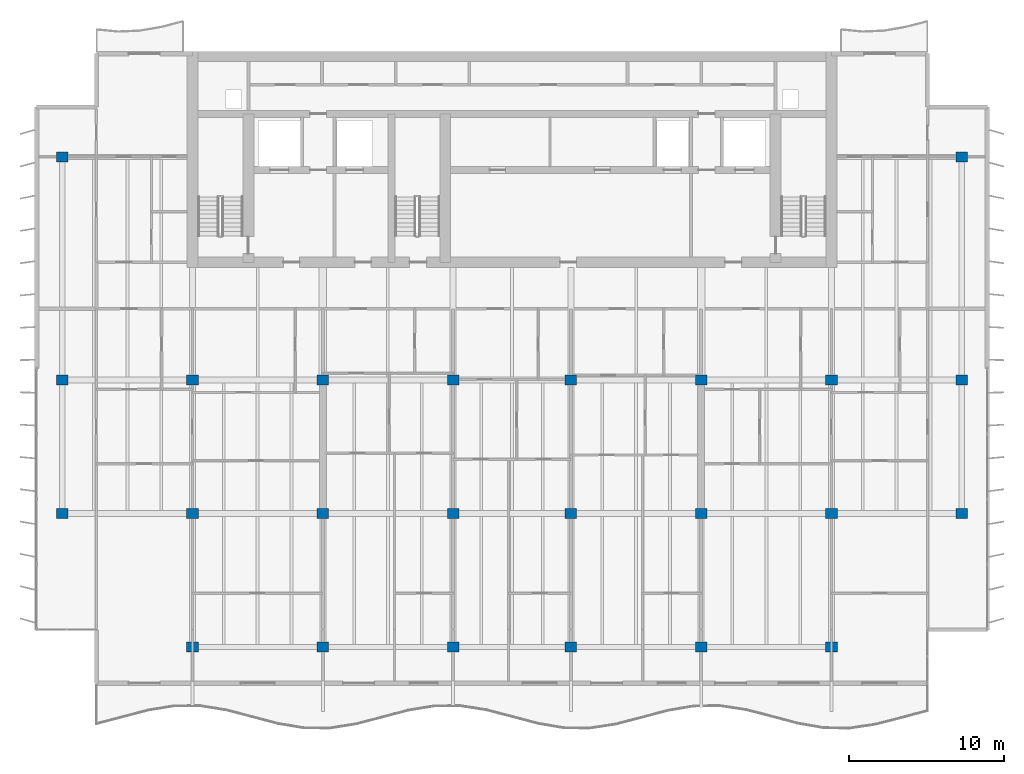
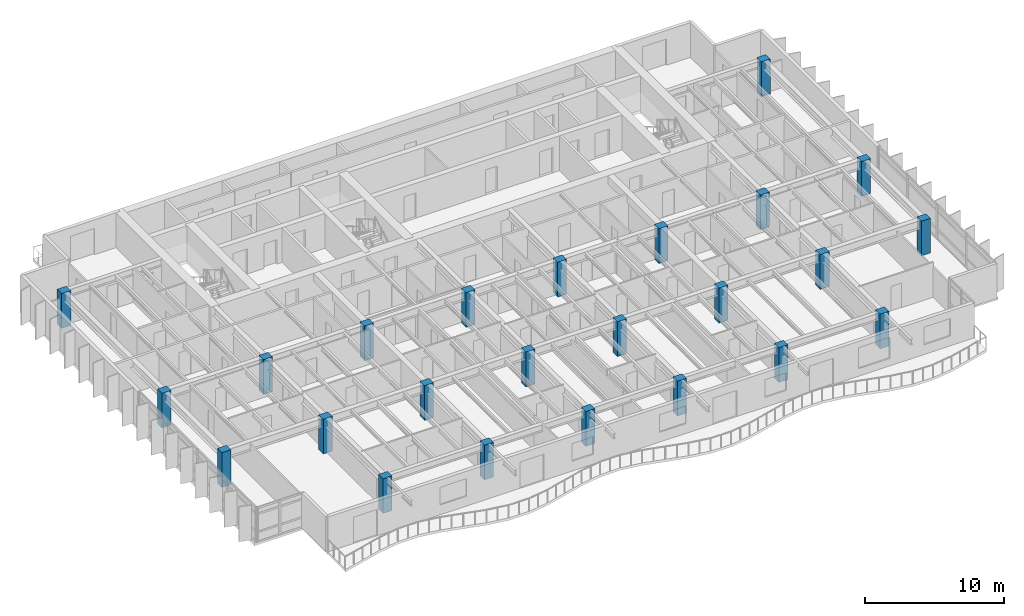
# One storey, part 1 of 16: 24 columns.
"""IFC4 building model written with IfcOpenShell, lengths in metres."""

from ifc_helpers import new_model, si_unit, direction, frame, origin, origin_2d, place, context, subcontext, project, spatial, rectangle, extrude, material, material_profile, profile_set, type_object, element, save


model = new_model("IFC4")

# Units and contexts
model_context = context("Model", 3, precision=1e-05, world=origin(), true_north=direction((0.0, 1.0)))
body_context = subcontext(model_context, "Body", "Model", "MODEL_VIEW")
ifc_project = project(units=[si_unit("LENGTHUNIT", "METRE"), si_unit("AREAUNIT", "SQUARE_METRE"), si_unit("VOLUMEUNIT", "CUBIC_METRE"), si_unit("PLANEANGLEUNIT", "RADIAN"), si_unit("MASSUNIT", "GRAM", prefix="KILO")], contexts=[model_context])

# Site, building, storey
site_placement = place(None, origin())
site = spatial("IfcSite", under=ifc_project, at=site_placement, CompositionType="ELEMENT")
building_placement = place(site_placement, origin())
building = spatial("IfcBuilding", under=site, at=building_placement, Name="Caelmar Bay Residences", CompositionType="ELEMENT")
storey_placement = place(building_placement, frame((0.0, 0.0, 233.10009765625)))
storey = spatial("IfcBuildingStorey", under=building, at=storey_placement, Name="L65", CompositionType="ELEMENT", Elevation=233.10009765625)

# Columns
ifc_material = material(Name="Concrete f'c 55 MPa (8,000 psi)", Category="concrete")
ifc_material_profile = material_profile(ifc_material, rectangle(XDim=0.75, YDim=0.64990234375, at=origin_2d()), Name="RC-COL-750X650")
ifc_profile_set = profile_set([ifc_material_profile], Name="Concrete f'c 55 MPa (8,000 psi)")
column_type = type_object("IfcColumnType", Name="COL-RC-750X650", PredefinedType="COLUMN", material=ifc_profile_set)
for number, where, z_axis, x_axis, name in (
    (1, (18.300048828125, 12.199951171875, 0.0), (0.0, 0.0, 1.0), (1.0, 0.0, 0.0), "L65 Column (18.30,12.20)"),
    (2, (26.699951171875, 12.199951171875, 0.0), (0.0, 0.0, 1.0), (1.0, 0.0, 0.0), "L65 Column (26.70,12.20)"),
    (3, (35.10009765625, 12.199951171875, 0.0), (0.0, 0.0, 1.0), (1.0, 0.0, 0.0), "L65 Column (35.10,12.20)"),
    (4, (42.699951171875, 12.199951171875, 0.0), (0.0, 0.0, 1.0), (1.0, 0.0, 0.0), "L65 Column (42.70,12.20)"),
    (5, (51.10009765625, 12.199951171875, 0.0), (0.0, 0.0, 1.0), (1.0, 0.0, 0.0), "L65 Column (51.10,12.20)"),
    (6, (59.5, 12.199951171875, 0.0), (0.0, 0.0, 1.0), (1.0, 0.0, 0.0), "L65 Column (59.50,12.20)"),
    (7, (9.89990234375, 20.800048828125, 0.0), (0.0, 0.0, 1.0), (1.0, 0.0, 0.0), "L65 Column (9.90,20.80)"),
    (8, (18.300048828125, 20.800048828125, 0.0), (0.0, 0.0, 1.0), (1.0, 0.0, 0.0), "L65 Column (18.30,20.80)"),
    (9, (26.699951171875, 20.800048828125, 0.0), (0.0, 0.0, 1.0), (1.0, 0.0, 0.0), "L65 Column (26.70,20.80)"),
    (10, (35.10009765625, 20.800048828125, 0.0), (0.0, 0.0, 1.0), (1.0, 0.0, 0.0), "L65 Column (35.10,20.80)"),
    (11, (42.699951171875, 20.800048828125, 0.0), (0.0, 0.0, 1.0), (1.0, 0.0, 0.0), "L65 Column (42.70,20.80)"),
    (12, (51.10009765625, 20.800048828125, 0.0), (0.0, 0.0, 1.0), (1.0, 0.0, 0.0), "L65 Column (51.10,20.80)"),
    (13, (59.5, 20.800048828125, 0.0), (0.0, 0.0, 1.0), (1.0, 0.0, 0.0), "L65 Column (59.50,20.80)"),
    (14, (67.89990234375, 20.800048828125, 0.0), (0.0, 0.0, 1.0), (1.0, 0.0, 0.0), "L65 Column (67.90,20.80)"),
    (15, (9.89990234375, 29.39990234375, 0.0), (0.0, 0.0, 1.0), (1.0, 0.0, 0.0), "L65 Column (9.90,29.40)"),
    (16, (18.300048828125, 29.39990234375, 0.0), (0.0, 0.0, 1.0), (1.0, 0.0, 0.0), "L65 Column (18.30,29.40)"),
    (17, (26.699951171875, 29.39990234375, 0.0), (0.0, 0.0, 1.0), (1.0, 0.0, 0.0), "L65 Column (26.70,29.40)"),
    (18, (35.10009765625, 29.39990234375, 0.0), (0.0, 0.0, 1.0), (1.0, 0.0, 0.0), "L65 Column (35.10,29.40)"),
    (19, (42.699951171875, 29.39990234375, 0.0), (0.0, 0.0, 1.0), (1.0, 0.0, 0.0), "L65 Column (42.70,29.40)"),
    (20, (51.10009765625, 29.39990234375, 0.0), (0.0, 0.0, 1.0), (1.0, 0.0, 0.0), "L65 Column (51.10,29.40)"),
    (21, (59.5, 29.39990234375, 0.0), (0.0, 0.0, 1.0), (1.0, 0.0, 0.0), "L65 Column (59.50,29.40)"),
    (22, (67.89990234375, 29.39990234375, 0.0), (0.0, 0.0, 1.0), (1.0, 0.0, 0.0), "L65 Column (67.90,29.40)"),
    (23, (9.89990234375, 43.800048828125, 0.0), (0.0, 0.0, 1.0), (1.0, 0.0, 0.0), "L65 Column (9.90,43.80)"),
    (24, (67.89990234375, 43.800048828125, 0.0), (0.0, 0.0, 1.0), (1.0, 0.0, 0.0), "L65 Column (67.90,43.80)"),
):
    element("IfcColumn", number, at=place(storey_placement, frame(where, z_axis=z_axis, x_axis=x_axis)), inside=storey, type_object=column_type, Name=name, PredefinedType="COLUMN", context=body_context, shape_type="SweptSolid", body=[
        extrude(rectangle(XDim=0.75, YDim=0.64990234375, at=origin_2d()), origin(), (0.0, 0.0, 1.0), 3.0498046875),
    ])

save(model, "model.ifc")
